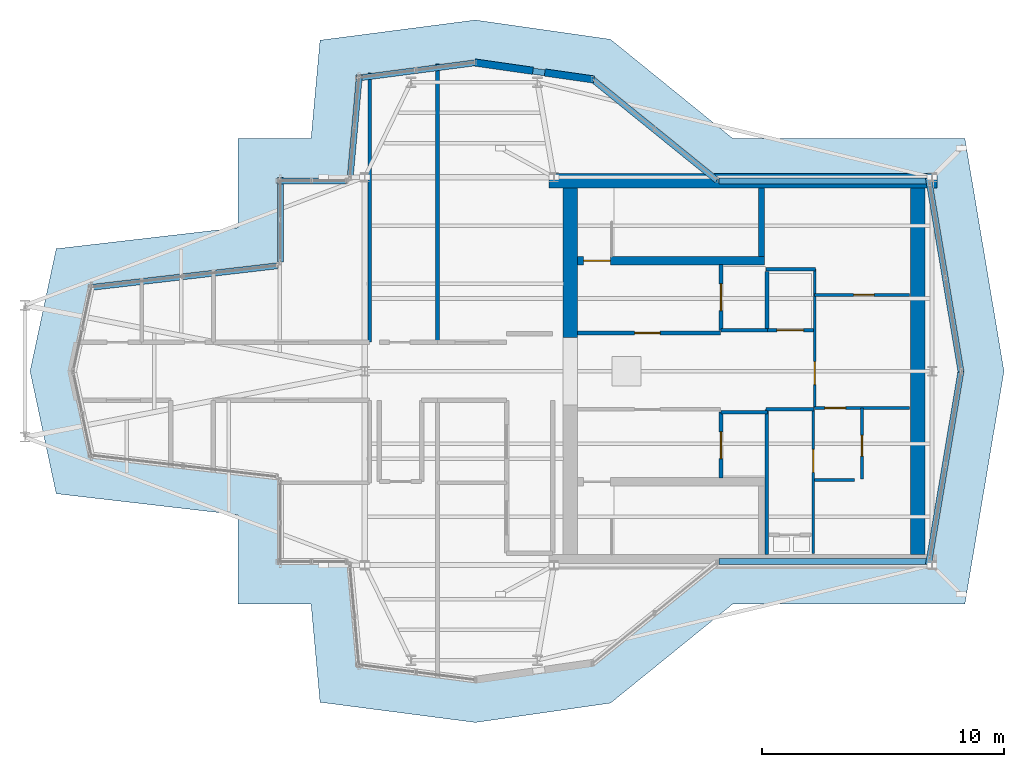
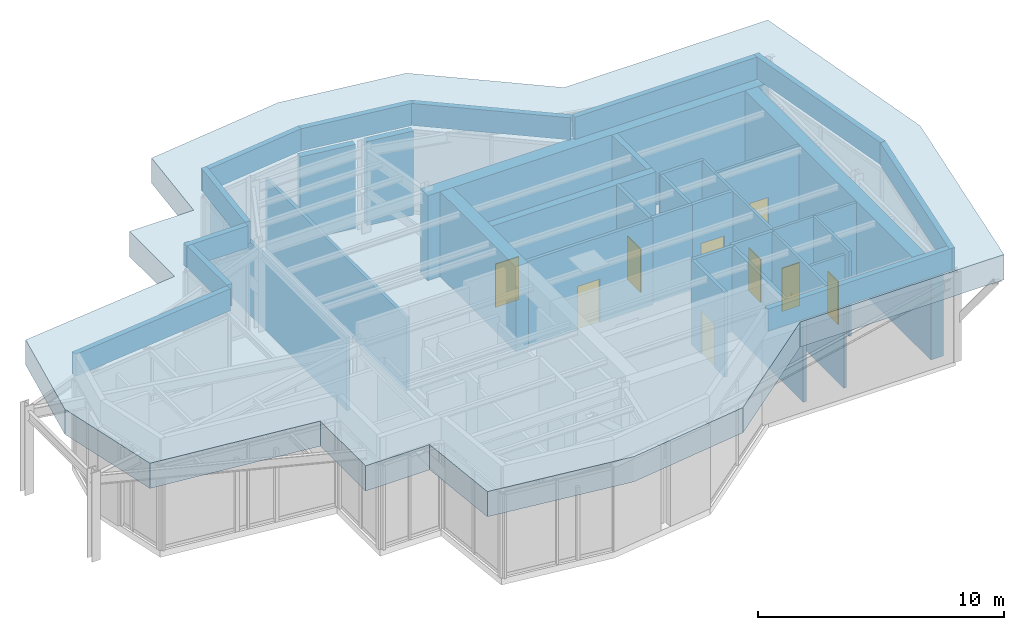
# One storey, part 10 of 11: 36 walls, 10 doors, 1 roof, 10 openings.
"""IFC4 building model written with IfcOpenShell, lengths in metres."""

from ifc_helpers import new_model, si_unit, direction, frame, frame_2d, origin, place, context, subcontext, project, spatial, polyline, rectangle, outline, extrude, material, layer, layer_set, type_object, element, fill, save


model = new_model("IFC4")

# Units and contexts
model_context = context("Model", 3, precision=1e-05, world=origin(), true_north=direction((0.0, 1.0)))
body_context = subcontext(model_context, "Body", "Model", "MODEL_VIEW")
ifc_project = project(units=[si_unit("LENGTHUNIT", "METRE"), si_unit("AREAUNIT", "SQUARE_METRE"), si_unit("VOLUMEUNIT", "CUBIC_METRE"), si_unit("PLANEANGLEUNIT", "RADIAN"), si_unit("MASSUNIT", "GRAM", prefix="KILO")], contexts=[model_context])

# Site, building, storey
site_placement = place(None, origin())
site = spatial("IfcSite", under=ifc_project, at=site_placement, CompositionType="ELEMENT")
building_placement = place(site_placement, origin())
building = spatial("IfcBuilding", under=site, at=building_placement, Name="Veymaron Broadcast Tower", CompositionType="ELEMENT")
storey_placement = place(building_placement, frame((0.0, 0.0, 336.89990234375)))
storey = spatial("IfcBuildingStorey", under=building, at=storey_placement, Name="L79", CompositionType="ELEMENT", Elevation=336.89990234375)

# Walls
ifc_material_1 = material(Name="Precast concrete C40/50 with mineral-wool insulation", Category="concrete")
ifc_layer_1 = layer(ifc_material_1, 0.300048828125)
ifc_layer_set_1 = layer_set([ifc_layer_1], Name="Precast concrete C40/50 with mineral-wool insulation")
wall_type_1 = type_object("IfcWallType", Name="WALL-EXT-300", PredefinedType="STANDARD", material=ifc_layer_set_1)
wall_1_placement = place(storey_placement, frame((40.65185546875, 36.029296875, 0.0), z_axis=(0.0, 0.0, 1.0), x_axis=(-0.989904067126, 0.141738978007, 0.0)))
element("IfcWall", 1, at=wall_1_placement, inside=storey, type_object=wall_type_1, Name="L79 crown plant enclosure wall 6-1", PredefinedType="STANDARD", context=body_context, shape_type="SweptSolid", body=[
    extrude(rectangle(XDim=2.044677734375, YDim=0.300048828125, at=frame_2d((1.0224609375, 0.0))), origin(), (0.0, 0.0, 1.0), 4.170166015625),
])
wall_2_placement = place(storey_placement, frame((38.13623046875, 36.389404296875, 0.0), z_axis=(0.0, 0.0, 1.0), x_axis=(-0.989917298502, 0.141646539412, 0.0)))
element("IfcWall", 2, at=wall_2_placement, inside=storey, type_object=wall_type_1, Name="L79 crown plant enclosure wall 6-2", PredefinedType="STANDARD", context=body_context, shape_type="SweptSolid", body=[
    extrude(rectangle(XDim=2.428466796875, YDim=0.300048828125, at=frame_2d((1.21435546875, 0.0))), origin(), (0.0, 0.0, 1.0), 4.170166015625),
])

# Wall, opening, door
ifc_material_2 = material(Name="Gypsum fireboard and steel stud framing", Category="steel")
ifc_layer_2 = layer(ifc_material_2, 0.14990234375)
ifc_layer_set_2 = layer_set([ifc_layer_2], Name="Gypsum fireboard and steel stud framing")
wall_type_2 = type_object("IfcWallType", Name="WALL-FIRE-150", PredefinedType="PARTITIONING", material=ifc_layer_set_2)
wall_3_placement = place(storey_placement, frame((39.97998046875, 25.574951171875, 0.0), z_axis=(0.0, 0.0, 1.0), x_axis=(1.0, 0.0, 0.0)))
wall_3 = element("IfcWall", 3, at=wall_3_placement, inside=storey, type_object=wall_type_2, Name="L79 partition IW-L79-FFLN-S", PredefinedType="PARTITIONING", context=body_context, shape_type="SweptSolid", body=[
    extrude(rectangle(XDim=5.89990234375, YDim=0.14990234375, at=frame_2d((2.949951171875, 0.0))), origin(), (0.0, 0.0, 1.0), 4.22021484375),
])
opening_1_placement = place(wall_3_placement, frame((2.35009765625, 0.0, 0.0)))
opening_1 = element("IfcOpeningElement", 4, at=opening_1_placement, cuts=wall_3, Name="Opening ID-FL1", PredefinedType="OPENING", context=body_context, shape_type="SweptSolid", body=[
    extrude(rectangle(XDim=1.050048828125, YDim=2.14990234375, at=frame_2d((0.52490234375, 1.074951171875))), frame((0.0, 0.0849609375, 0.0), z_axis=(0.0, -1.0, 0.0), x_axis=(1.0, 0.0, 0.0)), (0.0, 0.0, 1.0), 0.169921875),
])
ifc_material_3 = material(Name="Fire-rated painted hollow steel ASTM A653", Category="steel")
door_type_1 = type_object("IfcDoorType", Name="DOOR-FIRE-1050", OperationType="NOTDEFINED", PredefinedType="DOOR", material=ifc_material_3)
door_1_placement = place(opening_1_placement, origin())
door_1 = element("IfcDoor", 5, at=door_1_placement, inside=storey, type_object=door_type_1, Name="L79 door DR-L79-FFLN", OperationType="SINGLE_SWING_LEFT", OverallHeight=2.14990234375, OverallWidth=1.050048828125, PredefinedType="DOOR", context=body_context, shape_type="SweptSolid", body=[
    extrude(rectangle(XDim=1.050048828125, YDim=2.14990234375, at=frame_2d((0.52490234375, 1.074951171875))), frame((0.0, 0.02490234375, 0.0), z_axis=(0.0, -1.0, 0.0), x_axis=(1.0, 0.0, 0.0)), (0.0, 0.0, 1.0), 0.050048828125),
])
fill(opening_1, door_1)

wall_4_placement = place(storey_placement, frame((45.89501953125, 25.68994140625, 0.0), z_axis=(0.0, 0.0, 1.0), x_axis=(0.0, 1.0, 0.0)))
wall_4 = element("IfcWall", 6, at=wall_4_placement, inside=storey, type_object=wall_type_2, Name="L79 partition IW-L79-SHW-FFL-1", PredefinedType="PARTITIONING", context=body_context, shape_type="SweptSolid", body=[
    extrude(rectangle(XDim=2.719970703125, YDim=0.14990234375, at=frame_2d((1.35986328125, 0.0))), origin(), (0.0, 0.0, 1.0), 4.22021484375),
])
opening_2_placement = place(wall_4_placement, frame((0.81005859375, 0.0, 0.0)))
opening_2 = element("IfcOpeningElement", 7, at=opening_2_placement, cuts=wall_4, Name="Opening LD", PredefinedType="OPENING", context=body_context, shape_type="SweptSolid", body=[
    extrude(rectangle(XDim=1.10009765625, YDim=2.14990234375, at=frame_2d((0.550048828125, 1.074951171875))), frame((0.0, 0.0849609375, 0.0), z_axis=(0.0, -1.0, 0.0), x_axis=(1.0, 0.0, 0.0)), (0.0, 0.0, 1.0), 0.169921875),
])
ifc_material_4 = material(Name="Brushed stainless steel AISI 304", Category="steel")
door_type_2 = type_object("IfcDoorType", Name="DOOR-LIFT-1100", OperationType="DOUBLE_DOOR_SLIDING", PredefinedType="DOOR", material=ifc_material_4)
door_2_placement = place(opening_2_placement, frame((1.10009765625, 0.0, 0.0), z_axis=(0.0, 0.0, 1.0), x_axis=(-1.0, 0.0, 0.0)))
door_2 = element("IfcDoor", 8, at=door_2_placement, inside=storey, type_object=door_type_2, Name="L79 door LD-L79-FFL-1", OperationType="DOUBLE_DOOR_SLIDING", OverallHeight=2.14990234375, OverallWidth=1.10009765625, PredefinedType="DOOR", context=body_context, shape_type="SweptSolid", body=[
    extrude(rectangle(XDim=1.10009765625, YDim=2.14990234375, at=frame_2d((0.550048828125, 1.074951171875))), frame((0.0, 0.02490234375, 0.0), z_axis=(0.0, -1.0, 0.0), x_axis=(1.0, 0.0, 0.0)), (0.0, 0.0, 1.0), 0.050048828125),
])
fill(opening_2, door_2)

# Wall
wall_5_placement = place(storey_placement, frame((45.89501953125, 25.68994140625, 0.0), z_axis=(0.0, 0.0, 1.0), x_axis=(1.0, 0.0, 0.0)))
element("IfcWall", 9, at=wall_5_placement, inside=storey, type_object=wall_type_2, Name="L79 partition IW-L79-SHS-FFL-1", PredefinedType="PARTITIONING", context=body_context, shape_type="SweptSolid", body=[
    extrude(rectangle(XDim=1.9150390625, YDim=0.14990234375, at=frame_2d((0.95751953125, 0.0))), origin(), (0.0, 0.0, 1.0), 4.22021484375),
])

# Wall, opening, door
wall_6_placement = place(storey_placement, frame((45.89501953125, 19.590087890625, 0.0), z_axis=(0.0, 0.0, 1.0), x_axis=(0.0, 1.0, 0.0)))
wall_6 = element("IfcWall", 10, at=wall_6_placement, inside=storey, type_object=wall_type_2, Name="L79 partition IW-L79-SHW-FFL-2", PredefinedType="PARTITIONING", context=body_context, shape_type="SweptSolid", body=[
    extrude(rectangle(XDim=2.719970703125, YDim=0.14990234375, at=frame_2d((1.35986328125, 0.0))), origin(), (0.0, 0.0, 1.0), 4.22021484375),
])
opening_3_placement = place(wall_6_placement, frame((0.81005859375, 0.0, 0.0)))
opening_3 = element("IfcOpeningElement", 11, at=opening_3_placement, cuts=wall_6, Name="Opening LD", PredefinedType="OPENING", context=body_context, shape_type="SweptSolid", body=[
    extrude(rectangle(XDim=1.10009765625, YDim=2.14990234375, at=frame_2d((0.550048828125, 1.074951171875))), frame((0.0, 0.0849609375, 0.0), z_axis=(0.0, -1.0, 0.0), x_axis=(1.0, 0.0, 0.0)), (0.0, 0.0, 1.0), 0.169921875),
])
door_3_placement = place(opening_3_placement, frame((1.10009765625, 0.0, 0.0), z_axis=(0.0, 0.0, 1.0), x_axis=(-1.0, 0.0, 0.0)))
door_3 = element("IfcDoor", 12, at=door_3_placement, inside=storey, type_object=door_type_2, Name="L79 door LD-L79-FFL-2", OperationType="DOUBLE_DOOR_SLIDING", OverallHeight=2.14990234375, OverallWidth=1.10009765625, PredefinedType="DOOR", context=body_context, shape_type="SweptSolid", body=[
    extrude(rectangle(XDim=1.10009765625, YDim=2.14990234375, at=frame_2d((0.550048828125, 1.074951171875))), frame((0.0, 0.02490234375, 0.0), z_axis=(0.0, -1.0, 0.0), x_axis=(1.0, 0.0, 0.0)), (0.0, 0.0, 1.0), 0.050048828125),
])
fill(opening_3, door_3)

# Wall
wall_7_placement = place(storey_placement, frame((45.89501953125, 22.31005859375, 0.0), z_axis=(0.0, 0.0, 1.0), x_axis=(1.0, 0.0, 0.0)))
element("IfcWall", 13, at=wall_7_placement, inside=storey, type_object=wall_type_2, Name="L79 partition IW-L79-SHN-FFL-2", PredefinedType="PARTITIONING", context=body_context, shape_type="SweptSolid", body=[
    extrude(rectangle(XDim=1.9150390625, YDim=0.14990234375, at=frame_2d((0.95751953125, 0.0))), origin(), (0.0, 0.0, 1.0), 4.22021484375),
])

# Wall, opening, door
wall_8_placement = place(storey_placement, frame((47.7900390625, 25.695068359375, 0.0), z_axis=(0.0, 0.0, 1.0), x_axis=(1.0, 0.0, 0.0)))
wall_8 = element("IfcWall", 14, at=wall_8_placement, inside=storey, type_object=wall_type_2, Name="L79 partition IW-L79-SHS-SL-1", PredefinedType="PARTITIONING", context=body_context, shape_type="SweptSolid", body=[
    extrude(rectangle(XDim=1.919921875, YDim=0.14990234375, at=frame_2d((0.9599609375, 0.0))), origin(), (0.0, 0.0, 1.0), 4.22021484375),
])
opening_4_placement = place(wall_8_placement, frame((0.409912109375, 0.0, 0.0)))
opening_4 = element("IfcOpeningElement", 15, at=opening_4_placement, cuts=wall_8, Name="Opening LD", PredefinedType="OPENING", context=body_context, shape_type="SweptSolid", body=[
    extrude(rectangle(XDim=1.10009765625, YDim=2.14990234375, at=frame_2d((0.550048828125, 1.074951171875))), frame((0.0, 0.0849609375, 0.0), z_axis=(0.0, -1.0, 0.0), x_axis=(1.0, 0.0, 0.0)), (0.0, 0.0, 1.0), 0.169921875),
])
door_4_placement = place(opening_4_placement, frame((1.10009765625, 0.0, 0.0), z_axis=(0.0, 0.0, 1.0), x_axis=(-1.0, 0.0, 0.0)))
door_4 = element("IfcDoor", 16, at=door_4_placement, inside=storey, type_object=door_type_2, Name="L79 door LD-L79-SL-1", OperationType="DOUBLE_DOOR_SLIDING", OverallHeight=2.14990234375, OverallWidth=1.10009765625, PredefinedType="DOOR", context=body_context, shape_type="SweptSolid", body=[
    extrude(rectangle(XDim=1.10009765625, YDim=2.14990234375, at=frame_2d((0.550048828125, 1.074951171875))), frame((0.0, 0.02490234375, 0.0), z_axis=(0.0, -1.0, 0.0), x_axis=(1.0, 0.0, 0.0)), (0.0, 0.0, 1.0), 0.050048828125),
])
fill(opening_4, door_4)

# Walls
wall_9_placement = place(storey_placement, frame((47.7900390625, 25.695068359375, 0.0), z_axis=(0.0, 0.0, 1.0), x_axis=(0.0, 1.0, 0.0)))
element("IfcWall", 17, at=wall_9_placement, inside=storey, type_object=wall_type_2, Name="L79 partition IW-L79-SHW-SL-1", PredefinedType="PARTITIONING", context=body_context, shape_type="SweptSolid", body=[
    extrude(rectangle(XDim=2.4150390625, YDim=0.14990234375, at=frame_2d((1.20751953125, 0.0))), origin(), (0.0, 0.0, 1.0), 4.22021484375),
])
wall_10_placement = place(storey_placement, frame((47.760009765625, 22.425048828125, 0.0), z_axis=(0.0, 0.0, 1.0), x_axis=(1.0, 0.0, 0.0)))
element("IfcWall", 18, at=wall_10_placement, inside=storey, type_object=wall_type_2, Name="L79 partition IW-L79-SM-N", PredefinedType="PARTITIONING", context=body_context, shape_type="SweptSolid", body=[
    extrude(rectangle(XDim=1.9599609375, YDim=0.14990234375, at=frame_2d((0.97998046875, 0.0))), origin(), (0.0, 0.0, 1.0), 4.22021484375),
])
wall_11_placement = place(storey_placement, frame((47.780029296875, 16.449951171875, 0.0), z_axis=(0.0, 0.0, 1.0), x_axis=(0.0, 1.0, 0.0)))
element("IfcWall", 19, at=wall_11_placement, inside=storey, type_object=wall_type_2, Name="L79 partition IW-L79-SM-W", PredefinedType="PARTITIONING", context=body_context, shape_type="SweptSolid", body=[
    extrude(rectangle(XDim=5.97509765625, YDim=0.14990234375, at=frame_2d((2.987548828125, 0.0))), origin(), (0.0, 0.0, 1.0), 4.22021484375),
])
wall_12_placement = place(storey_placement, frame((47.760009765625, 28.199951171875, 0.0), z_axis=(0.0, 0.0, 1.0), x_axis=(1.0, 0.0, 0.0)))
element("IfcWall", 20, at=wall_12_placement, inside=storey, type_object=wall_type_2, Name="L79 partition IW-L79-F3-SW", PredefinedType="PARTITIONING", context=body_context, shape_type="SweptSolid", body=[
    extrude(rectangle(XDim=2.0400390625, YDim=0.14990234375, at=frame_2d((1.02001953125, 0.0))), origin(), (0.0, 0.0, 1.0), 4.22021484375),
])
ifc_material_5 = material(Name="Fire-rated laminated glass in aluminium frame", Category="aluminium")
ifc_layer_3 = layer(ifc_material_5, 0.14990234375)
ifc_layer_set_3 = layer_set([ifc_layer_3], Name="Fire-rated laminated glass in aluminium frame")
wall_type_3 = type_object("IfcWallType", Name="WALL-GLZ-150", PredefinedType="MOVABLE", material=ifc_layer_set_3)
wall_13_placement = place(storey_placement, frame((31.39990234375, 25.199951171875, 0.0), z_axis=(0.0, 0.0, 1.0), x_axis=(0.0, 1.0, 0.0)))
element("IfcWall", 21, at=wall_13_placement, inside=storey, type_object=wall_type_3, Name="L79 partition IW-L79-P29", PredefinedType="MOVABLE", context=body_context, shape_type="SweptSolid", body=[
    extrude(rectangle(XDim=11.10595703125, YDim=0.14990234375, at=frame_2d((5.552978515625, 0.0))), origin(), (0.0, 0.0, 1.0), 3.630126953125),
])
wall_14_placement = place(storey_placement, frame((34.199951171875, 25.199951171875, 0.0), z_axis=(0.0, 0.0, 1.0), x_axis=(0.0, 1.0, 0.0)))
element("IfcWall", 22, at=wall_14_placement, inside=storey, type_object=wall_type_3, Name="L79 partition IW-L79-P30", PredefinedType="MOVABLE", context=body_context, shape_type="SweptSolid", body=[
    extrude(rectangle(XDim=11.47021484375, YDim=0.14990234375, at=frame_2d((5.735107421875, 0.0))), origin(), (0.0, 0.0, 1.0), 3.630126953125),
])
ifc_material_6 = material(Name="Precast concrete C40/50", Category="concrete")
ifc_layer_4 = layer(ifc_material_6, 0.25)
ifc_layer_set_4 = layer_set([ifc_layer_4], Name="Precast concrete C40/50")
wall_type_4 = type_object("IfcWallType", Name="WALL-PAR-250", PredefinedType="PARAPET", material=ifc_layer_set_4)
wall_15_placement = place(storey_placement, frame((45.81298828125, 16.14990234375, 4.4501953125), z_axis=(0.0, 0.0, 1.0), x_axis=(1.0, 0.0, 0.0)))
element("IfcWall", 23, at=wall_15_placement, inside=storey, type_object=wall_type_4, Name="L79 crown roof parapet wall 1", PredefinedType="PARAPET", context=body_context, shape_type="SweptSolid", body=[
    extrude(rectangle(XDim=8.787109375, YDim=0.25, at=frame_2d((4.3935546875, 0.0))), origin(), (0.0, 0.0, 1.0), 1.099853515625),
])
for number, where, z_axis, x_axis, name in (
    (24, (54.4521484375, 16.02490234375, 4.4501953125), (0.0, 0.0, 1.0), (0.165677515027, 0.986179984087, 0.0), "L79 crown roof parapet wall 2"),
    (25, (55.796142578125, 23.97509765625, 4.4501953125), (0.0, 0.0, 1.0), (-0.165677515027, 0.986179984087, 0.0), "L79 crown roof parapet wall 3"),
):
    element("IfcWall", number, at=place(storey_placement, frame(where, z_axis=z_axis, x_axis=x_axis)), inside=storey, type_object=wall_type_4, Name=name, PredefinedType="PARAPET", context=body_context, shape_type="SweptSolid", body=[
        extrude(rectangle(XDim=8.112060546875, YDim=0.25, at=frame_2d((4.05615234375, 0.0))), origin(), (0.0, 0.0, 1.0), 1.099853515625),
    ])
wall_16_placement = place(storey_placement, frame((54.60009765625, 31.85009765625, 4.4501953125), z_axis=(0.0, 0.0, 1.0), x_axis=(-1.0, 0.0, 0.0)))
element("IfcWall", 26, at=wall_16_placement, inside=storey, type_object=wall_type_4, Name="L79 crown roof parapet wall 4", PredefinedType="PARAPET", context=body_context, shape_type="SweptSolid", body=[
    extrude(rectangle(XDim=8.787109375, YDim=0.25, at=frame_2d((4.3935546875, 0.0))), origin(), (0.0, 0.0, 1.0), 1.099853515625),
])
wall_17_placement = place(storey_placement, frame((45.718505859375, 31.883544921875, 4.4501953125), z_axis=(0.0, 0.0, 1.0), x_axis=(-0.77680744345, 0.629738196238, 0.0)))
element("IfcWall", 27, at=wall_17_placement, inside=storey, type_object=wall_type_4, Name="L79 crown roof parapet wall 5", PredefinedType="PARAPET", context=body_context, shape_type="SweptSolid", body=[
    extrude(rectangle(XDim=6.61865234375, YDim=0.25, at=frame_2d((3.309326171875, 0.0))), origin(), (0.0, 0.0, 1.0), 1.099853515625),
])
wall_18_placement = place(storey_placement, frame((40.650390625, 36.01953125, 4.4501953125), z_axis=(0.0, 0.0, 1.0), x_axis=(-0.989919997097, 0.141627678608, 0.0)))
element("IfcWall", 28, at=wall_18_placement, inside=storey, type_object=wall_type_4, Name="L79 crown roof parapet wall 6", PredefinedType="PARAPET", context=body_context, shape_type="SweptSolid", body=[
    extrude(rectangle(XDim=4.9697265625, YDim=0.25, at=frame_2d((2.48486328125, 0.0))), origin(), (0.0, 0.0, 1.0), 1.099853515625),
])
wall_19_placement = place(storey_placement, frame((35.771484375, 36.723388671875, 4.4501953125), z_axis=(0.0, 0.0, 1.0), x_axis=(-0.991640700932, -0.129029919996, 0.0)))
element("IfcWall", 29, at=wall_19_placement, inside=storey, type_object=wall_type_4, Name="L79 crown roof parapet wall 7", PredefinedType="PARAPET", context=body_context, shape_type="SweptSolid", body=[
    extrude(rectangle(XDim=4.961181640625, YDim=0.25, at=frame_2d((2.48046875, 0.0))), origin(), (0.0, 0.0, 1.0), 1.099853515625),
])
wall_20_placement = place(storey_placement, frame((30.981689453125, 36.218505859375, 4.4501953125), z_axis=(0.0, 0.0, 1.0), x_axis=(-0.090318171013, -0.995912962053, 0.0)))
element("IfcWall", 30, at=wall_20_placement, inside=storey, type_object=wall_type_4, Name="L79 crown roof parapet wall 8", PredefinedType="PARAPET", context=body_context, shape_type="SweptSolid", body=[
    extrude(rectangle(XDim=4.249267578125, YDim=0.25, at=frame_2d((2.12451171875, 0.0))), origin(), (0.0, 0.0, 1.0), 1.099853515625),
])
wall_21_placement = place(storey_placement, frame((30.448486328125, 31.85009765625, 4.4501953125), z_axis=(0.0, 0.0, 1.0), x_axis=(-1.0, 0.0, 0.0)))
element("IfcWall", 31, at=wall_21_placement, inside=storey, type_object=wall_type_4, Name="L79 crown roof parapet wall 9", PredefinedType="PARAPET", context=body_context, shape_type="SweptSolid", body=[
    extrude(rectangle(XDim=2.87255859375, YDim=0.25, at=frame_2d((1.436279296875, 0.0))), origin(), (0.0, 0.0, 1.0), 1.099853515625),
])
wall_22_placement = place(storey_placement, frame((27.72607421875, 32.0, 4.4501953125), z_axis=(0.0, 0.0, 1.0), x_axis=(0.0, -1.0, 0.0)))
element("IfcWall", 32, at=wall_22_placement, inside=storey, type_object=wall_type_4, Name="L79 crown roof parapet wall 10", PredefinedType="PARAPET", context=body_context, shape_type="SweptSolid", body=[
    extrude(rectangle(XDim=3.501953125, YDim=0.25, at=frame_2d((1.7509765625, 0.0))), origin(), (0.0, 0.0, 1.0), 1.099853515625),
])
wall_23_placement = place(storey_placement, frame((27.59326171875, 28.34912109375, 4.4501953125), z_axis=(0.0, 0.0, 1.0), x_axis=(-0.993323430456, -0.115362743148, 0.0)))
element("IfcWall", 33, at=wall_23_placement, inside=storey, type_object=wall_type_4, Name="L79 crown roof parapet wall 11", PredefinedType="PARAPET", context=body_context, shape_type="SweptSolid", body=[
    extrude(rectangle(XDim=7.828125, YDim=0.25, at=frame_2d((3.9140625, 0.0))), origin(), (0.0, 0.0, 1.0), 1.099853515625),
])

# Wall, opening, door
ifc_material_7 = material(Name="Acoustic gypsum board and galvanized stud", Category="gypsum")
ifc_layer_5 = layer(ifc_material_7, 0.1201171875)
ifc_layer_set_5 = layer_set([ifc_layer_5], Name="Acoustic gypsum board and galvanized stud")
wall_type_5 = type_object("IfcWallType", Name="WALL-PART-120", PredefinedType="PARTITIONING", material=ifc_layer_set_5)
wall_24_placement = place(storey_placement, frame((49.699951171875, 16.47998046875, 0.0), z_axis=(0.0, 0.0, 1.0), x_axis=(0.0, 1.0, 0.0)))
wall_24 = element("IfcWall", 34, at=wall_24_placement, inside=storey, type_object=wall_type_5, Name="L79 partition IW-L79-SM-E", PredefinedType="PARTITIONING", context=body_context, shape_type="SweptSolid", body=[
    extrude(rectangle(XDim=5.945068359375, YDim=0.1201171875, at=frame_2d((2.97265625, 0.0))), origin(), (0.0, 0.0, 1.0), 4.22021484375),
])
opening_5_placement = place(wall_24_placement, frame((3.35009765625, 0.0, 0.0)))
opening_5 = element("IfcOpeningElement", 35, at=opening_5_placement, cuts=wall_24, Name="Opening ID-RM1", PredefinedType="OPENING", context=body_context, shape_type="SweptSolid", body=[
    extrude(rectangle(XDim=0.949951171875, YDim=2.14990234375, at=frame_2d((0.47509765625, 1.074951171875))), frame((0.0, 0.070068359375, 0.0), z_axis=(0.0, -1.0, 0.0), x_axis=(1.0, 0.0, 0.0)), (0.0, 0.0, 1.0), 0.14013671875),
])
ifc_material_8 = material(Name="Acoustic solid-core European oak veneer timber", Category="wood")
door_type_3 = type_object("IfcDoorType", Name="DOOR-INT-950", OperationType="NOTDEFINED", PredefinedType="DOOR", material=ifc_material_8)
door_5_placement = place(opening_5_placement, frame((0.949951171875, 0.0, 0.0), z_axis=(0.0, 0.0, 1.0), x_axis=(-1.0, 0.0, 0.0)))
door_5 = element("IfcDoor", 36, at=door_5_placement, inside=storey, type_object=door_type_3, Name="L79 door DR-L79-AWC", OperationType="SINGLE_SWING_LEFT", OverallHeight=2.14990234375, OverallWidth=0.949951171875, PredefinedType="DOOR", context=body_context, shape_type="SweptSolid", body=[
    extrude(rectangle(XDim=0.949951171875, YDim=2.14990234375, at=frame_2d((0.47509765625, 1.074951171875))), frame((0.0, 0.02490234375, 0.0), z_axis=(0.0, -1.0, 0.0), x_axis=(1.0, 0.0, 0.0)), (0.0, 0.0, 1.0), 0.050048828125),
])
fill(opening_5, door_5)

wall_25_placement = place(storey_placement, frame((49.760009765625, 22.47998046875, 0.0), z_axis=(0.0, 0.0, 1.0), x_axis=(1.0, 0.0, 0.0)))
wall_25 = element("IfcWall", 37, at=wall_25_placement, inside=storey, type_object=wall_type_5, Name="L79 partition IW-L79-F3S-N", PredefinedType="PARTITIONING", context=body_context, shape_type="SweptSolid", body=[
    extrude(rectangle(XDim=3.89990234375, YDim=0.1201171875, at=frame_2d((1.949951171875, 0.0))), origin(), (0.0, 0.0, 1.0), 4.22021484375),
])
opening_6_placement = place(wall_25_placement, frame((0.419921875, 0.0, 0.0)))
opening_6 = element("IfcOpeningElement", 38, at=opening_6_placement, cuts=wall_25, Name="Opening ID-WC1", PredefinedType="OPENING", context=body_context, shape_type="SweptSolid", body=[
    extrude(rectangle(XDim=0.85009765625, YDim=2.14990234375, at=frame_2d((0.425048828125, 1.074951171875))), frame((0.0, 0.070068359375, 0.0), z_axis=(0.0, -1.0, 0.0), x_axis=(1.0, 0.0, 0.0)), (0.0, 0.0, 1.0), 0.14013671875),
])
ifc_material_9 = material(Name="Moisture-resistant high-pressure laminate timber", Category="wood")
door_type_4 = type_object("IfcDoorType", Name="DOOR-INT-850", OperationType="NOTDEFINED", PredefinedType="DOOR", material=ifc_material_9)
door_6_placement = place(opening_6_placement, frame((0.85009765625, 0.0, 0.0), z_axis=(0.0, 0.0, 1.0), x_axis=(-1.0, 0.0, 0.0)))
door_6 = element("IfcDoor", 39, at=door_6_placement, inside=storey, type_object=door_type_4, Name="L79 door DR-L79-F3S", OperationType="SINGLE_SWING_LEFT", OverallHeight=2.14990234375, OverallWidth=0.85009765625, PredefinedType="DOOR", context=body_context, shape_type="SweptSolid", body=[
    extrude(rectangle(XDim=0.85009765625, YDim=2.14990234375, at=frame_2d((0.425048828125, 1.074951171875))), frame((0.0, 0.02490234375, 0.0), z_axis=(0.0, -1.0, 0.0), x_axis=(1.0, 0.0, 0.0)), (0.0, 0.0, 1.0), 0.050048828125),
])
fill(opening_6, door_6)

wall_26_placement = place(storey_placement, frame((51.7099609375, 19.550048828125, 0.0), z_axis=(0.0, 0.0, 1.0), x_axis=(0.0, 1.0, 0.0)))
wall_26 = element("IfcWall", 40, at=wall_26_placement, inside=storey, type_object=wall_type_5, Name="L79 partition IW-L79-F3S-M", PredefinedType="PARTITIONING", context=body_context, shape_type="SweptSolid", body=[
    extrude(rectangle(XDim=2.929931640625, YDim=0.1201171875, at=frame_2d((1.46484375, 0.0))), origin(), (0.0, 0.0, 1.0), 4.22021484375),
])
opening_7_placement = place(wall_26_placement, frame((0.949951171875, 0.0, 0.0)))
opening_7 = element("IfcOpeningElement", 41, at=opening_7_placement, cuts=wall_26, Name="Opening ID-WC1", PredefinedType="OPENING", context=body_context, shape_type="SweptSolid", body=[
    extrude(rectangle(XDim=0.85009765625, YDim=2.14990234375, at=frame_2d((0.425048828125, 1.074951171875))), frame((0.0, 0.070068359375, 0.0), z_axis=(0.0, -1.0, 0.0), x_axis=(1.0, 0.0, 0.0)), (0.0, 0.0, 1.0), 0.14013671875),
])
door_7_placement = place(opening_7_placement, origin())
door_7 = element("IfcDoor", 42, at=door_7_placement, inside=storey, type_object=door_type_4, Name="L79 door DR-L79-F3SB", OperationType="SINGLE_SWING_RIGHT", OverallHeight=2.14990234375, OverallWidth=0.85009765625, PredefinedType="DOOR", context=body_context, shape_type="SweptSolid", body=[
    extrude(rectangle(XDim=0.85009765625, YDim=2.14990234375, at=frame_2d((0.425048828125, 1.074951171875))), frame((0.0, 0.02490234375, 0.0), z_axis=(0.0, -1.0, 0.0), x_axis=(1.0, 0.0, 0.0)), (0.0, 0.0, 1.0), 0.050048828125),
])
fill(opening_7, door_7)

# Wall
wall_27_placement = place(storey_placement, frame((49.760009765625, 19.52001953125, 0.0), z_axis=(0.0, 0.0, 1.0), x_axis=(1.0, 0.0, 0.0)))
element("IfcWall", 43, at=wall_27_placement, inside=storey, type_object=wall_type_5, Name="L79 partition IW-L79-F3S-S", PredefinedType="PARTITIONING", context=body_context, shape_type="SweptSolid", body=[
    extrude(rectangle(XDim=1.639892578125, YDim=0.1201171875, at=frame_2d((0.81982421875, 0.0))), origin(), (0.0, 0.0, 1.0), 4.22021484375),
])

# Wall, opening, door
wall_28_placement = place(storey_placement, frame((49.760009765625, 22.5, 0.0), z_axis=(0.0, 0.0, 1.0), x_axis=(0.0, 1.0, 0.0)))
wall_28 = element("IfcWall", 44, at=wall_28_placement, inside=storey, type_object=wall_type_5, Name="L79 partition IW-L79-F3-W", PredefinedType="PARTITIONING", context=body_context, shape_type="SweptSolid", body=[
    extrude(rectangle(XDim=5.719970703125, YDim=0.1201171875, at=frame_2d((2.85986328125, 0.0))), origin(), (0.0, 0.0, 1.0), 4.22021484375),
])
opening_8_placement = place(wall_28_placement, frame((0.949951171875, 0.0, 0.0)))
opening_8 = element("IfcOpeningElement", 45, at=opening_8_placement, cuts=wall_28, Name="Opening ID-RM1", PredefinedType="OPENING", context=body_context, shape_type="SweptSolid", body=[
    extrude(rectangle(XDim=0.949951171875, YDim=2.14990234375, at=frame_2d((0.47509765625, 1.074951171875))), frame((0.0, 0.070068359375, 0.0), z_axis=(0.0, -1.0, 0.0), x_axis=(1.0, 0.0, 0.0)), (0.0, 0.0, 1.0), 0.14013671875),
])
door_8_placement = place(opening_8_placement, origin())
door_8 = element("IfcDoor", 46, at=door_8_placement, inside=storey, type_object=door_type_3, Name="L79 door DR-L79-F3A", OperationType="SINGLE_SWING_LEFT", OverallHeight=2.14990234375, OverallWidth=0.949951171875, PredefinedType="DOOR", context=body_context, shape_type="SweptSolid", body=[
    extrude(rectangle(XDim=0.949951171875, YDim=2.14990234375, at=frame_2d((0.47509765625, 1.074951171875))), frame((0.0, 0.02490234375, 0.0), z_axis=(0.0, -1.0, 0.0), x_axis=(1.0, 0.0, 0.0)), (0.0, 0.0, 1.0), 0.050048828125),
])
fill(opening_8, door_8)

wall_29_placement = place(storey_placement, frame((49.760009765625, 27.14990234375, 0.0), z_axis=(0.0, 0.0, 1.0), x_axis=(1.0, 0.0, 0.0)))
wall_29 = element("IfcWall", 47, at=wall_29_placement, inside=storey, type_object=wall_type_5, Name="L79 partition IW-L79-F3-M1", PredefinedType="PARTITIONING", context=body_context, shape_type="SweptSolid", body=[
    extrude(rectangle(XDim=3.89990234375, YDim=0.1201171875, at=frame_2d((1.949951171875, 0.0))), origin(), (0.0, 0.0, 1.0), 4.22021484375),
])
opening_9_placement = place(wall_29_placement, frame((1.60009765625, 0.0, 0.0)))
opening_9 = element("IfcOpeningElement", 48, at=opening_9_placement, cuts=wall_29, Name="Opening ID-WC1", PredefinedType="OPENING", context=body_context, shape_type="SweptSolid", body=[
    extrude(rectangle(XDim=0.85009765625, YDim=2.14990234375, at=frame_2d((0.425048828125, 1.074951171875))), frame((0.0, 0.070068359375, 0.0), z_axis=(0.0, -1.0, 0.0), x_axis=(1.0, 0.0, 0.0)), (0.0, 0.0, 1.0), 0.14013671875),
])
door_9_placement = place(opening_9_placement, origin())
door_9 = element("IfcDoor", 49, at=door_9_placement, inside=storey, type_object=door_type_4, Name="L79 door DR-L79-F3B", OperationType="SINGLE_SWING_LEFT", OverallHeight=2.14990234375, OverallWidth=0.85009765625, PredefinedType="DOOR", context=body_context, shape_type="SweptSolid", body=[
    extrude(rectangle(XDim=0.85009765625, YDim=2.14990234375, at=frame_2d((0.425048828125, 1.074951171875))), frame((0.0, 0.02490234375, 0.0), z_axis=(0.0, -1.0, 0.0), x_axis=(1.0, 0.0, 0.0)), (0.0, 0.0, 1.0), 0.050048828125),
])
fill(opening_9, door_9)

# Wall
ifc_material_10 = material(Name="Concrete C50/60", Category="concrete")
ifc_layer_6 = layer(ifc_material_10, 0.25)
ifc_layer_set_6 = layer_set([ifc_layer_6], Name="Concrete C50/60")
wall_type_6 = type_object("IfcWallType", Name="WALL-SHEAR-250", PredefinedType="SHEAR", material=ifc_layer_set_6)
wall_30_placement = place(storey_placement, frame((47.56494140625, 28.72998046875, 0.0), z_axis=(0.0, 0.0, 1.0), x_axis=(0.0, 1.0, 0.0)))
element("IfcWall", 50, at=wall_30_placement, inside=storey, type_object=wall_type_6, Name="L79 Core Wall north stair east shear", PredefinedType="SHEAR", context=body_context, shape_type="SweptSolid", body=[
    extrude(rectangle(XDim=2.820068359375, YDim=0.25, at=frame_2d((1.41015625, 0.0))), origin(), (0.0, 0.0, 1.0), 4.22021484375),
])

# Wall, opening, door
ifc_layer_7 = layer(ifc_material_10, 0.35009765625)
ifc_layer_set_7 = layer_set([ifc_layer_7], Name="Concrete C50/60")
wall_type_7 = type_object("IfcWallType", Name="WALL-SHEAR-350", PredefinedType="SHEAR", material=ifc_layer_set_7)
wall_31_placement = place(storey_placement, frame((39.97998046875, 28.554931640625, 0.0), z_axis=(0.0, 0.0, 1.0), x_axis=(1.0, 0.0, 0.0)))
wall_31 = element("IfcWall", 51, at=wall_31_placement, inside=storey, type_object=wall_type_7, Name="L79 Core Wall north stair spine", PredefinedType="SHEAR", context=body_context, shape_type="SweptSolid", body=[
    extrude(rectangle(XDim=7.7099609375, YDim=0.35009765625, at=frame_2d((3.85498046875, 0.0))), origin(), (0.0, 0.0, 1.0), 4.22021484375),
])
opening_10_placement = place(wall_31_placement, frame((0.25, 0.0, 0.0)))
opening_10 = element("IfcOpeningElement", 52, at=opening_10_placement, cuts=wall_31, Name="Opening ID-ST1", PredefinedType="OPENING", context=body_context, shape_type="SweptSolid", body=[
    extrude(rectangle(XDim=1.10009765625, YDim=2.14990234375, at=frame_2d((0.550048828125, 1.074951171875))), frame((0.0, 0.18505859375, 0.0), z_axis=(0.0, -1.0, 0.0), x_axis=(1.0, 0.0, 0.0)), (0.0, 0.0, 1.0), 0.3701171875),
])
door_type_5 = type_object("IfcDoorType", Name="DOOR-STAIR-1100", OperationType="NOTDEFINED", PredefinedType="DOOR", material=ifc_material_3)
door_10_placement = place(opening_10_placement, origin())
door_10 = element("IfcDoor", 53, at=door_10_placement, inside=storey, type_object=door_type_5, Name="L79 exit stair ST1 fire door", OperationType="SINGLE_SWING_RIGHT", OverallHeight=2.14990234375, OverallWidth=1.10009765625, PredefinedType="DOOR", context=body_context, shape_type="SweptSolid", body=[
    extrude(rectangle(XDim=1.10009765625, YDim=2.14990234375, at=frame_2d((0.550048828125, 1.074951171875))), frame((0.0, 0.02490234375, 0.0), z_axis=(0.0, -1.0, 0.0), x_axis=(1.0, 0.0, 0.0)), (0.0, 0.0, 1.0), 0.050048828125),
])
fill(opening_10, door_10)

# Walls
ifc_layer_8 = layer(ifc_material_10, 0.60009765625)
ifc_layer_set_8 = layer_set([ifc_layer_8], Name="Concrete C50/60")
wall_type_8 = type_object("IfcWallType", Name="WALL-SHEAR-600", PredefinedType="SHEAR", material=ifc_layer_set_8)
wall_32_placement = place(storey_placement, frame((38.800048828125, 31.85009765625, 0.0), z_axis=(0.0, 0.0, 1.0), x_axis=(1.0, 0.0, 0.0)))
element("IfcWall", 54, at=wall_32_placement, inside=storey, type_object=wall_type_8, Name="L79 Core Wall north shear", PredefinedType="SHEAR", context=body_context, shape_type="SweptSolid", body=[
    extrude(rectangle(XDim=16.0, YDim=0.60009765625, at=frame_2d((8.0, 0.0))), origin(), (0.0, 0.0, 1.0), 4.22021484375),
])
wall_33_placement = place(storey_placement, frame((39.679931640625, 25.39990234375, 0.0), z_axis=(0.0, 0.0, 1.0), x_axis=(0.0, 1.0, 0.0)))
element("IfcWall", 55, at=wall_33_placement, inside=storey, type_object=wall_type_8, Name="L79 Core Wall west-north shear", PredefinedType="SHEAR", context=body_context, shape_type="SweptSolid", body=[
    extrude(rectangle(XDim=6.150146484375, YDim=0.60009765625, at=frame_2d((3.0751953125, 0.0))), origin(), (0.0, 0.0, 1.0), 4.22021484375),
])
wall_34_placement = place(storey_placement, frame((54.0, 16.449951171875, 0.0), z_axis=(0.0, 0.0, 1.0), x_axis=(0.0, 1.0, 0.0)))
element("IfcWall", 56, at=wall_34_placement, inside=storey, type_object=wall_type_8, Name="L79 Core Wall east shear", PredefinedType="SHEAR", context=body_context, shape_type="SweptSolid", body=[
    extrude(rectangle(XDim=15.10009765625, YDim=0.60009765625, at=frame_2d((7.550048828125, 0.0))), origin(), (0.0, 0.0, 1.0), 4.22021484375),
])

# Roof
ifc_material_11 = material(Name="Dark-anodised aluminium standing-seam and structural steel cassette", Category="steel")
ifc_layer_9 = layer(ifc_material_11, 1.25)
ifc_layer_set_9 = layer_set([ifc_layer_9], Name="Dark-anodised aluminium standing-seam and structural steel cassette")
roof_type = type_object("IfcRoofType", Name="ROOF-PARASOL-01", PredefinedType="FLAT_ROOF", material=ifc_layer_set_9)
roof_placement = place(storey_placement, frame((0.0, 0.0, 4.4501953125)))
element("IfcRoof", 57, at=roof_placement, inside=storey, type_object=roof_type, Name="L79 sculpted crown parasol canopy roof (+342.600 m)", PredefinedType="FLAT_ROOF", context=body_context, shape_type="SweptSolid", body=[
    extrude(outline(polyline([(55.95361328125, 14.39990234375), (57.56640625, 24.0), (55.95361328125, 33.60009765625), (46.380126953125, 33.60009765625), (41.335693359375, 37.689208984375), (35.76220703125, 38.48681640625), (29.354736328125, 37.6533203125), (28.987060546875, 33.60009765625), (25.97607421875, 33.60009765625), (25.97607421875, 29.923095703125), (18.47509765625, 29.052001953125), (17.39599609375, 24.0), (18.47509765625, 18.947998046875), (25.97607421875, 18.076904296875), (25.97607421875, 14.39990234375), (28.987060546875, 14.39990234375), (29.354736328125, 10.3466796875), (35.76220703125, 9.51318359375), (41.335693359375, 10.310791015625), (46.380126953125, 14.39990234375), (55.95361328125, 14.39990234375)])), origin(), (0.0, 0.0, 1.0), 1.25),
])

save(model, "model.ifc")
